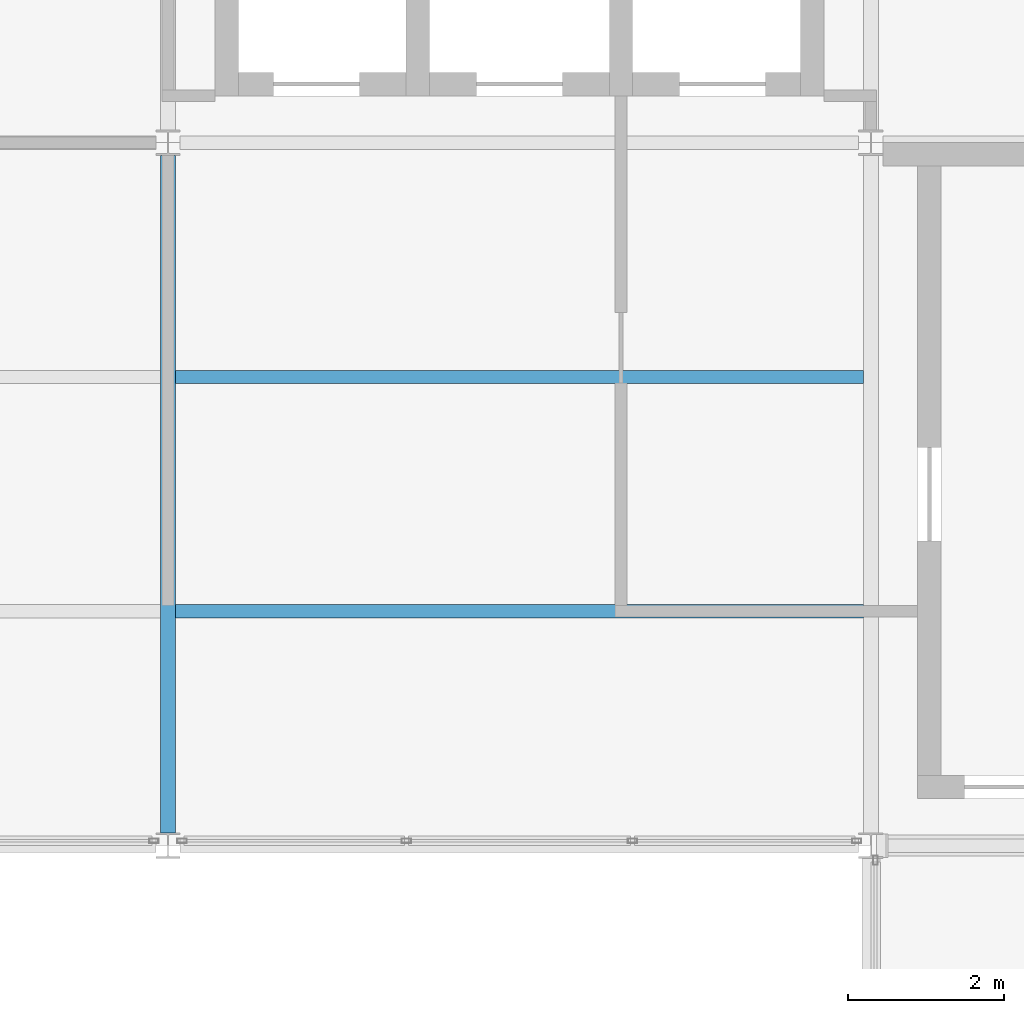
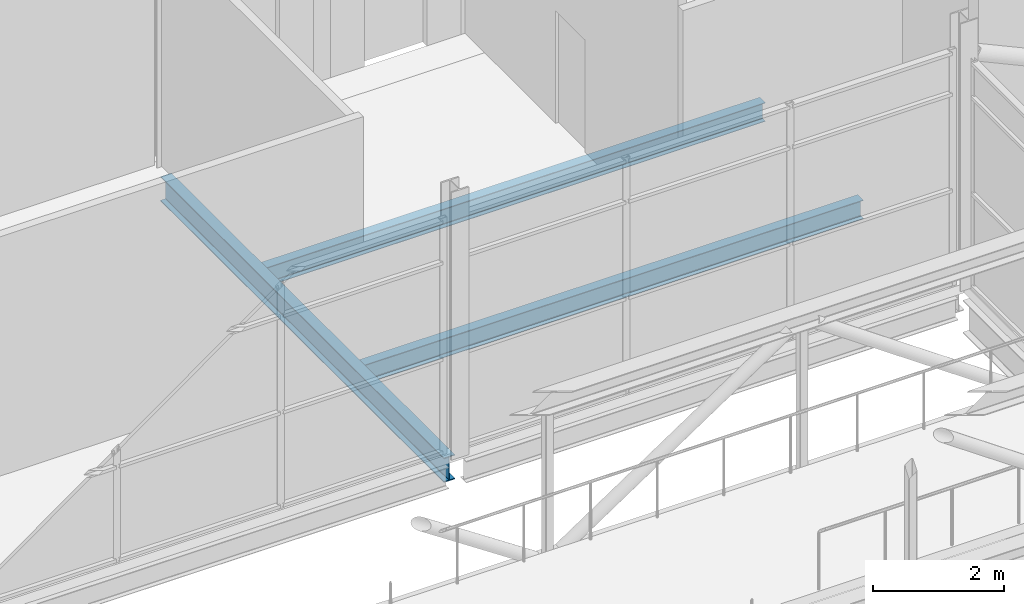
# One storey, part 68 of 115: 3 beams.
"""IFC4 building model written with IfcOpenShell, lengths in metres."""

from ifc_helpers import new_model, si_unit, direction, frame, origin, origin_2d, place, context, subcontext, project, spatial, i_section, extrude, material, material_profile, profile_set, type_object, element, save


model = new_model("IFC4")

# Units and contexts
model_context = context("Model", 3, precision=1e-05, world=origin(), true_north=direction((0.0, 1.0)))
body_context = subcontext(model_context, "Body", "Model", "MODEL_VIEW")
ifc_project = project(units=[si_unit("LENGTHUNIT", "METRE"), si_unit("AREAUNIT", "SQUARE_METRE"), si_unit("VOLUMEUNIT", "CUBIC_METRE"), si_unit("PLANEANGLEUNIT", "RADIAN"), si_unit("MASSUNIT", "GRAM", prefix="KILO")], contexts=[model_context])

# Site, building, storey
site_placement = place(None, origin())
site = spatial("IfcSite", under=ifc_project, at=site_placement, CompositionType="ELEMENT")
building_placement = place(site_placement, origin())
building = spatial("IfcBuilding", under=site, at=building_placement, Name="Shorebreak Coast Museum", CompositionType="ELEMENT")
storey_placement = place(building_placement, frame((0.0, 0.0, 11.0)))
storey = spatial("IfcBuildingStorey", under=building, at=storey_placement, Name="L02", CompositionType="ELEMENT", Elevation=11.0)

# Beams
ifc_material_1 = material(Name="Steel Grade 300", Category="steel")
ifc_material_profile_1 = material_profile(ifc_material_1, i_section(OverallWidth=0.19091796875, OverallDepth=0.46044921875, WebThickness=0.010009765625, FlangeThickness=0.01611328125, FilletRadius=0.011474609375, at=origin_2d()), Name="460UB82.1")
ifc_profile_set_1 = profile_set([ifc_material_profile_1], Name="Steel Grade 300")
beam_type_1 = type_object("IfcBeamType", Name="Floor girder north-south 460UB82.1", PredefinedType="BEAM", material=ifc_profile_set_1)
beam_placement = place(storey_placement, frame((99.0, 81.16357421875, -0.4052734375), z_axis=(0.0, 1.0, 0.0), x_axis=(-1.0, 0.0, 0.0)))
element("IfcBeam", 1, at=beam_placement, inside=storey, type_object=beam_type_1, Name="Floor girder north-south L02 12K", PredefinedType="BEAM", context=body_context, shape_type="SweptSolid", body=[
    extrude(i_section(OverallWidth=0.19091796875, OverallDepth=0.46044921875, WebThickness=0.010009765625, FlangeThickness=0.01611328125, FilletRadius=0.011474609375, at=origin_2d()), origin(), (0.0, 0.0, 1.0), 8.6728515625),
])
ifc_material_2 = material(Name="Steel Grade 300", Category="steel")
ifc_material_profile_2 = material_profile(ifc_material_2, i_section(OverallWidth=0.1708984375, OverallDepth=0.35205078125, WebThickness=0.0068359375, FlangeThickness=0.009765625, FilletRadius=0.011474609375, at=origin_2d()), Name="360UB44.7")
ifc_profile_set_2 = profile_set([ifc_material_profile_2], Name="Steel Grade 300")
beam_type_2 = type_object("IfcBeamType", Name="Floor joist 360UB44.7", PredefinedType="JOIST", material=ifc_profile_set_2)
for number, where, z_axis, x_axis, name in (
    (2, (99.095458984375, 84.0, -0.35107421875), (1.0, 0.0, 0.0), (0.0, 1.0, 0.0), "Floor joist L02 bay 12K at 3000 mm"),
    (3, (99.095458984375, 87.0, -0.35107421875), (1.0, 0.0, 0.0), (0.0, 1.0, 0.0), "Floor joist L02 bay 12K at 6000 mm"),
):
    element("IfcBeam", number, at=place(storey_placement, frame(where, z_axis=z_axis, x_axis=x_axis)), inside=storey, type_object=beam_type_2, Name=name, PredefinedType="JOIST", context=body_context, shape_type="SweptSolid", body=[
        extrude(i_section(OverallWidth=0.1708984375, OverallDepth=0.35205078125, WebThickness=0.0068359375, FlangeThickness=0.009765625, FilletRadius=0.011474609375, at=origin_2d()), origin(), (0.0, 0.0, 1.0), 8.80908203125),
    ])

save(model, "model.ifc")
